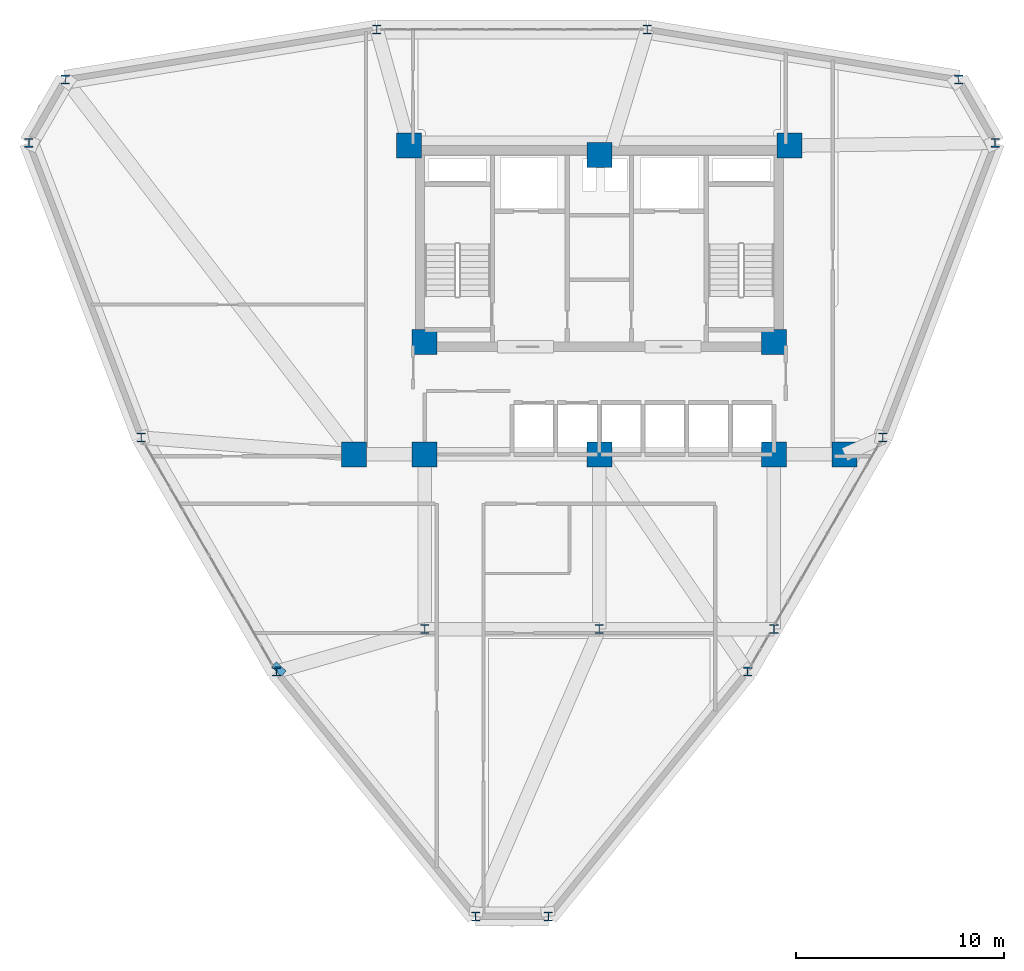
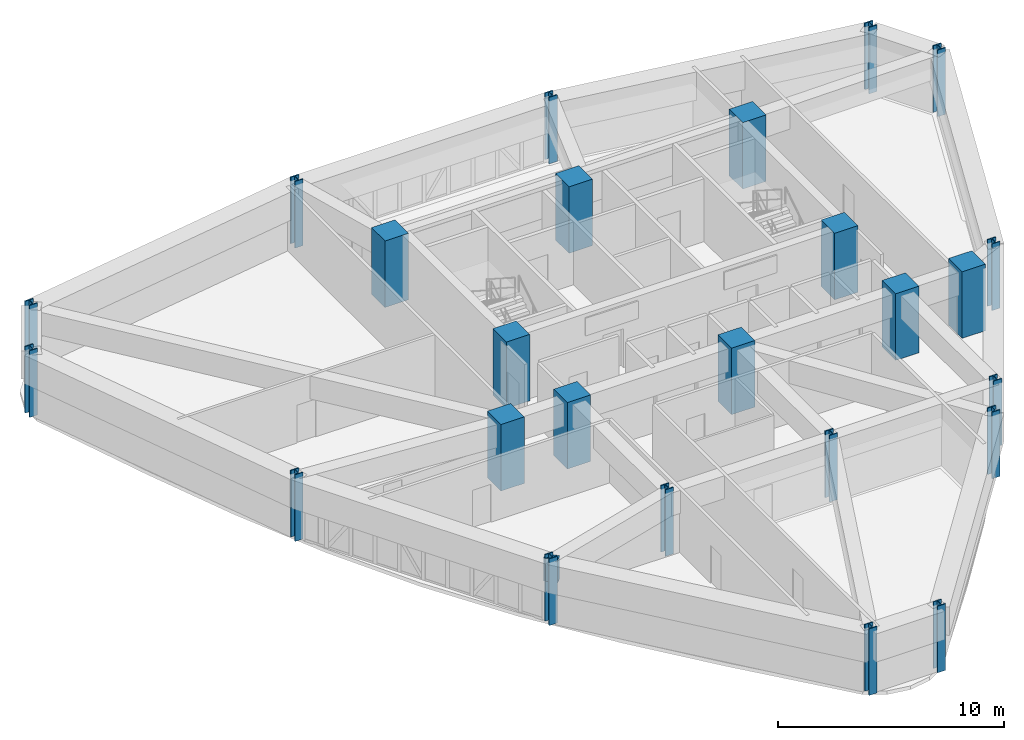
# One storey, part 1 of 13: 25 columns, 1 beam.
"""IFC4 building model written with IfcOpenShell, lengths in metres."""

from ifc_helpers import new_model, si_unit, derived_unit, direction, frame, origin, origin_2d, place, context, subcontext, project, spatial, rectangle, i_section, extrude, source, transform, mapped, material, material_profile, profile_set, type_object, element, save


model = new_model("IFC4")

# Units and contexts
model_context = context("Model", 3, precision=1e-05, world=origin(), true_north=direction((0.0, 1.0)))
body_context = subcontext(model_context, "Body", "Model", "MODEL_VIEW")
ifc_project = project(units=[si_unit("LENGTHUNIT", "METRE"), si_unit("AREAUNIT", "SQUARE_METRE"), si_unit("VOLUMEUNIT", "CUBIC_METRE"), si_unit("PLANEANGLEUNIT", "RADIAN"), si_unit("MASSUNIT", "GRAM", prefix="KILO"), derived_unit("THERMALTRANSMITTANCEUNIT", [(si_unit("POWERUNIT", "WATT"), 1), (si_unit("LENGTHUNIT", "METRE"), -2), (si_unit("THERMODYNAMICTEMPERATUREUNIT", "KELVIN"), -1)])], contexts=[model_context])

# Site, building, storey
site_placement = place(None, origin())
site = spatial("IfcSite", under=ifc_project, at=site_placement, CompositionType="ELEMENT")
building_placement = place(site_placement, origin())
building = spatial("IfcBuilding", under=site, at=building_placement, Name="Korsvarv Bourse and Concert Hall", CompositionType="ELEMENT")
storey_placement = place(building_placement, frame((0.0, 0.0, 154.199951171875)))
storey = spatial("IfcBuildingStorey", under=building, at=storey_placement, Name="L39", CompositionType="ELEMENT", Elevation=154.199951171875)

# Columns
ifc_material_1 = material(Name="Concrete C60/75", Category="concrete")
ifc_material_profile_1 = material_profile(ifc_material_1, rectangle(XDim=1.199951171875, YDim=1.199951171875, at=origin_2d()), Name="RC 1200x1200")
ifc_profile_set_1 = profile_set([ifc_material_profile_1], Name="Concrete C60/75")
column_type_1 = type_object("IfcColumnType", Name="COL-RC1200", PredefinedType="COLUMN", material=ifc_profile_set_1)
shared_shape_1 = source(origin(), body_context, "Body", "SweptSolid", [
    extrude(rectangle(XDim=1.199951171875, YDim=1.199951171875, at=origin_2d()), origin(), (0.0, 0.0, 1.0), 3.60009765625),
])
for number, where, z_axis, x_axis, name in (
    (1, (26.85009765625, 47.25, 0.0), (0.0, 0.0, 1.0), (1.0, 0.0, 0.0), "L39 column C-02"),
    (2, (45.14990234375, 47.25, 0.0), (0.0, 0.0, 1.0), (1.0, 0.0, 0.0), "L39 column C-02"),
    (3, (27.60009765625, 37.800048828125, 0.0), (0.0, 0.0, 1.0), (1.0, 0.0, 0.0), "L39 column C-02"),
    (4, (44.39990234375, 37.800048828125, 0.0), (0.0, 0.0, 1.0), (1.0, 0.0, 0.0), "L39 column C-02"),
    (5, (27.60009765625, 32.39990234375, 0.0), (0.0, 0.0, 1.0), (1.0, 0.0, 0.0), "L39 column C-02"),
    (6, (44.39990234375, 32.39990234375, 0.0), (0.0, 0.0, 1.0), (1.0, 0.0, 0.0), "L39 column C-02"),
    (7, (36.0, 46.800048828125, 0.0), (0.0, 0.0, 1.0), (1.0, 0.0, 0.0), "L39 column C-02"),
    (8, (36.0, 32.39990234375, 0.0), (0.0, 0.0, 1.0), (1.0, 0.0, 0.0), "L39 column C-02"),
    (9, (24.199951171875, 32.39990234375, 0.0), (0.0, 0.0, 1.0), (1.0, 0.0, 0.0), "L39 column C-02"),
    (10, (47.800048828125, 32.39990234375, 0.0), (0.0, 0.0, 1.0), (1.0, 0.0, 0.0), "L39 column C-02"),
):
    element("IfcColumn", number, at=place(storey_placement, frame(where, z_axis=z_axis, x_axis=x_axis)), inside=storey, type_object=column_type_1, Name=name, PredefinedType="COLUMN", context=body_context, shape_type="MappedRepresentation", body=[
        mapped(shared_shape_1, transform((0.0, 0.0, 0.0), scale=1.0)),
    ])
ifc_material_2 = material(Name="Steel S355", Category="steel")
ifc_material_profile_2 = material_profile(ifc_material_2, i_section(OverallWidth=0.412109375, OverallDepth=0.43505859375, WebThickness=0.032958984375, FlangeThickness=0.052978515625, FilletRadius=0.014892578125, at=origin_2d()), Name="HD 400x463")
ifc_profile_set_2 = profile_set([ifc_material_profile_2], Name="Steel S355")
column_type_2 = type_object("IfcColumnType", Name="COL-HD463", PredefinedType="COLUMN", material=ifc_profile_set_2)
shared_shape_2 = source(origin(), body_context, "Body", "SweptSolid", [
    extrude(i_section(OverallWidth=0.412109375, OverallDepth=0.43505859375, WebThickness=0.032958984375, FlangeThickness=0.052978515625, FilletRadius=0.014892578125, at=origin_2d()), origin(), (0.0, 0.0, 1.0), 3.60009765625),
])
for number, where, z_axis, x_axis, name in (
    (11, (27.60009765625, 24.0, 0.0), (0.0, 0.0, 1.0), (1.0, 0.0, 0.0), "L39 column C-09"),
    (12, (44.39990234375, 24.0, 0.0), (0.0, 0.0, 1.0), (1.0, 0.0, 0.0), "L39 column C-09"),
    (13, (36.0, 24.0, 0.0), (0.0, 0.0, 1.0), (1.0, 0.0, 0.0), "L39 column C-09"),
    (14, (55.033935546875, 47.39013671875, 0.0), (0.0, 0.0, 1.0), (1.0, 0.0, 0.0), "L39 column C-09"),
    (15, (53.281005859375, 50.42626953125, 0.0), (0.0, 0.0, 1.0), (1.0, 0.0, 0.0), "L39 column C-09"),
    (16, (38.30078125, 52.83642578125, 0.0), (0.0, 0.0, 1.0), (1.0, 0.0, 0.0), "L39 column C-09"),
    (17, (25.29931640625, 52.83642578125, 0.0), (0.0, 0.0, 1.0), (1.0, 0.0, 0.0), "L39 column C-09"),
    (18, (10.31884765625, 50.42626953125, 0.0), (0.0, 0.0, 1.0), (1.0, 0.0, 0.0), "L39 column C-09"),
    (19, (8.56591796875, 47.39013671875, 0.0), (0.0, 0.0, 1.0), (1.0, 0.0, 0.0), "L39 column C-09"),
    (20, (13.96875, 33.211669921875, 0.0), (0.0, 0.0, 1.0), (1.0, 0.0, 0.0), "L39 column C-09"),
    (21, (20.469482421875, 21.951904296875, 0.0), (0.0, 0.0, 1.0), (1.0, 0.0, 0.0), "L39 column C-09"),
    (22, (30.047119140625, 10.183837890625, 0.0), (0.0, 0.0, 1.0), (1.0, 0.0, 0.0), "L39 column C-09"),
    (23, (33.552978515625, 10.183837890625, 0.0), (0.0, 0.0, 1.0), (1.0, 0.0, 0.0), "L39 column C-09"),
    (24, (43.13037109375, 21.951904296875, 0.0), (0.0, 0.0, 1.0), (1.0, 0.0, 0.0), "L39 column C-09"),
    (25, (49.631103515625, 33.211669921875, 0.0), (0.0, 0.0, 1.0), (1.0, 0.0, 0.0), "L39 column C-09"),
):
    element("IfcColumn", number, at=place(storey_placement, frame(where, z_axis=z_axis, x_axis=x_axis)), inside=storey, type_object=column_type_2, Name=name, PredefinedType="COLUMN", context=body_context, shape_type="MappedRepresentation", body=[
        mapped(shared_shape_2, transform((0.0, 0.0, 0.0), scale=1.0)),
    ])

# Beam
ifc_material_3 = material(Name="Concrete C50/60", Category="concrete")
ifc_material_profile_3 = material_profile(ifc_material_3, rectangle(XDim=0.64990234375, YDim=1.239990234375, at=origin_2d()), Name="RC-BM 650x1240")
ifc_profile_set_3 = profile_set([ifc_material_profile_3], Name="Concrete C50/60")
beam_type = type_object("IfcBeamType", Name="BM-TR-SPN", PredefinedType="BEAM", material=ifc_profile_set_3)
shared_shape_3 = source(origin(), body_context, "Body", "SweptSolid", [
    extrude(rectangle(XDim=0.64990234375, YDim=1.239990234375, at=origin_2d()), origin(), (0.0, 0.0, 1.0), 0.34375),
])
beam_placement = place(storey_placement, frame((20.469482421875, 21.951904296875, 2.780029296875), z_axis=(0.684744064706, 0.728783620734, 0.0), x_axis=(-0.728783620734, 0.684744064706, 0.0)))
element("IfcBeam", 26, at=beam_placement, inside=storey, type_object=beam_type, Name="L39 beam B-TRS", PredefinedType="BEAM", context=body_context, shape_type="MappedRepresentation", body=[
    mapped(shared_shape_3, transform((0.0, 0.0, 0.0), scale=1.0)),
])

save(model, "model.ifc")
